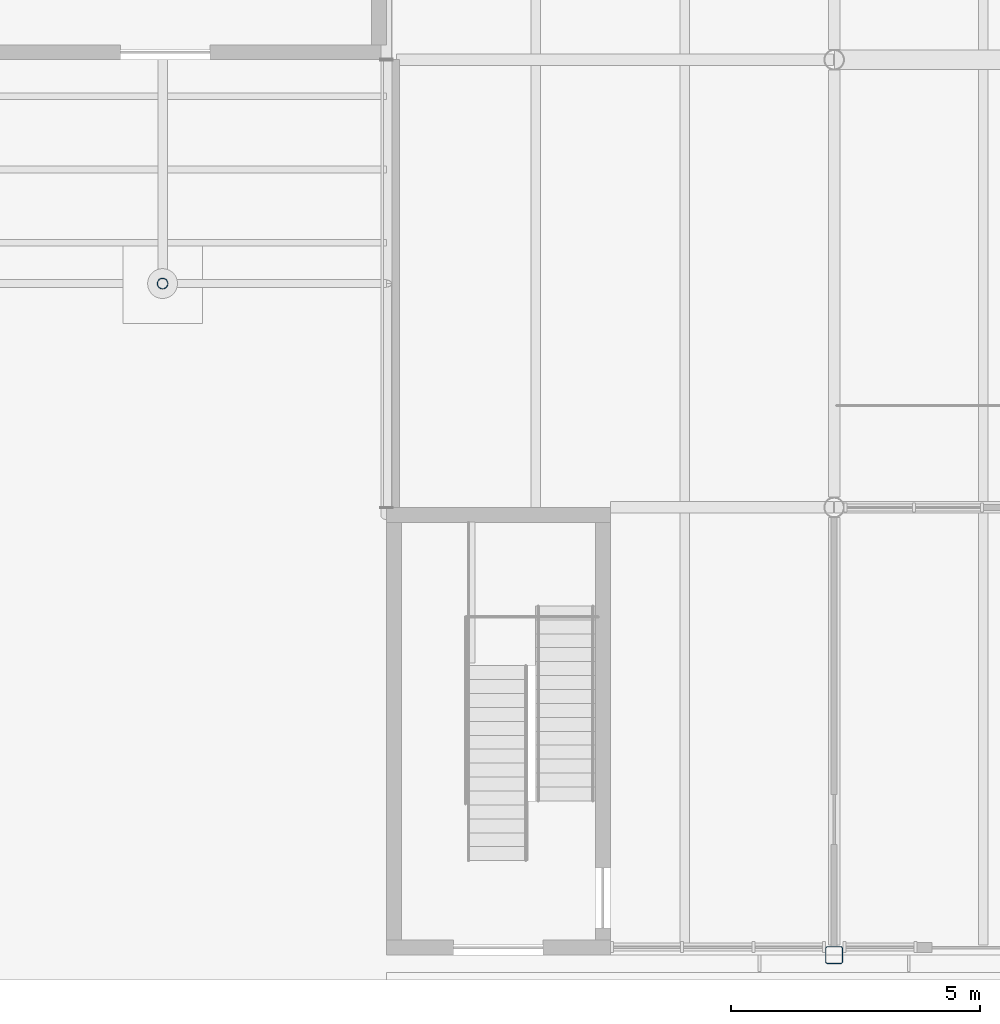
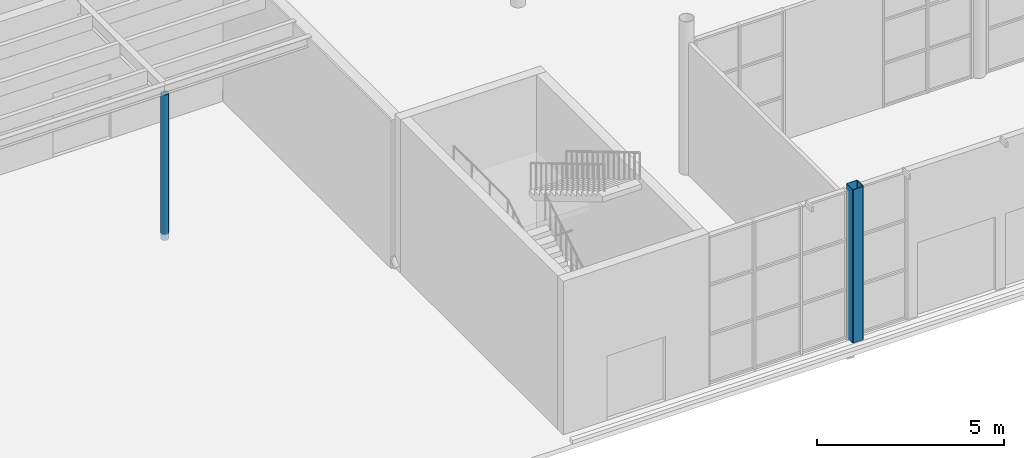
# One storey, part 7 of 63: 2 columns.
"""IFC4 building model written with IfcOpenShell, lengths in metres."""

from ifc_helpers import new_model, si_unit, direction, frame, origin, origin_2d, place, context, subcontext, project, spatial, hollow_rectangle, hollow_circle, extrude, material, material_profile, profile_set, type_object, element, save


model = new_model("IFC4")

# Units and contexts
model_context = context("Model", 3, precision=1e-05, world=origin(), true_north=direction((0.0, 1.0)))
body_context = subcontext(model_context, "Body", "Model", "MODEL_VIEW")
ifc_project = project(units=[si_unit("LENGTHUNIT", "METRE"), si_unit("AREAUNIT", "SQUARE_METRE"), si_unit("VOLUMEUNIT", "CUBIC_METRE"), si_unit("PLANEANGLEUNIT", "RADIAN"), si_unit("MASSUNIT", "GRAM", prefix="KILO")], contexts=[model_context])

# Site, building, storey
site_placement = place(None, origin())
site = spatial("IfcSite", under=ifc_project, at=site_placement, CompositionType="ELEMENT")
building_placement = place(site_placement, origin())
building = spatial("IfcBuilding", under=site, at=building_placement, Name="Halyard Row Museum", CompositionType="ELEMENT")
storey_placement = place(building_placement, origin())
storey = spatial("IfcBuildingStorey", under=building, at=storey_placement, Name="L00", CompositionType="ELEMENT", Elevation=0.0)

# Columns
ifc_material_1 = material(Name="Steel Grade C350L0", Category="steel")
ifc_material_profile_1 = material_profile(ifc_material_1, hollow_circle(Radius=0.109619140625, WallThickness=0.00830078125, at=origin_2d()), Name="219.1x8.2CHS")
ifc_profile_set_1 = profile_set([ifc_material_profile_1], Name="Steel Grade C350L0")
column_type_1 = type_object("IfcColumnType", Name="Canopy column 219.1x8.2CHS", PredefinedType="COLUMN", material=ifc_profile_set_1)
column_1_placement = place(storey_placement, frame((67.5, 13.5, -0.199951171875), z_axis=(0.0, 0.0, 1.0), x_axis=(1.0, 0.0, 0.0)))
element("IfcColumn", 1, at=column_1_placement, inside=storey, type_object=column_type_1, Name="Canopy column 67.5", PredefinedType="COLUMN", context=body_context, shape_type="SweptSolid", body=[
    extrude(hollow_circle(Radius=0.109619140625, WallThickness=0.00830078125, at=origin_2d()), origin(), (0.0, 0.0, 1.0), 4.74267578125),
])
ifc_material_2 = material(Name="Steel Grade C350L0", Category="steel")
ifc_material_profile_2 = material_profile(ifc_material_2, hollow_rectangle(XDim=0.35009765625, YDim=0.35009765625, WallThickness=0.01611328125, InnerFilletRadius=0.02392578125, OuterFilletRadius=0.0400390625, at=origin_2d()), Name="350x350x16.0SHS")
ifc_profile_set_2 = profile_set([ifc_material_profile_2], Name="Steel Grade C350L0")
column_type_2 = type_object("IfcColumnType", Name="Column 350x350x16.0SHS edge", PredefinedType="COLUMN", material=ifc_profile_set_2)
column_2_placement = place(storey_placement, frame((81.0, 0.0, 0.0), z_axis=(0.0, 0.0, 1.0), x_axis=(1.0, 0.0, 0.0)))
element("IfcColumn", 2, at=column_2_placement, inside=storey, type_object=column_type_2, Name="Column 10A L00", PredefinedType="COLUMN", context=body_context, shape_type="SweptSolid", body=[
    extrude(hollow_rectangle(XDim=0.35009765625, YDim=0.35009765625, WallThickness=0.01611328125, InnerFilletRadius=0.02392578125, OuterFilletRadius=0.0400390625, at=origin_2d()), origin(), (0.0, 0.0, 1.0), 5.0),
])

save(model, "model.ifc")
